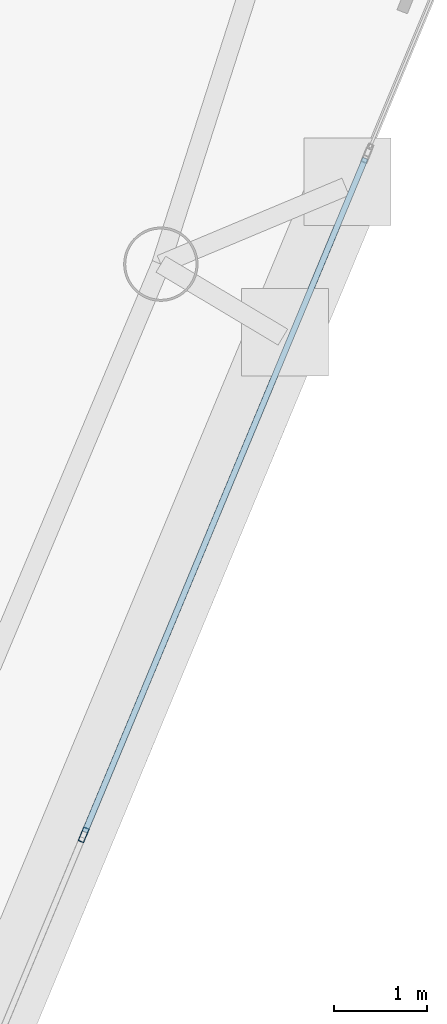
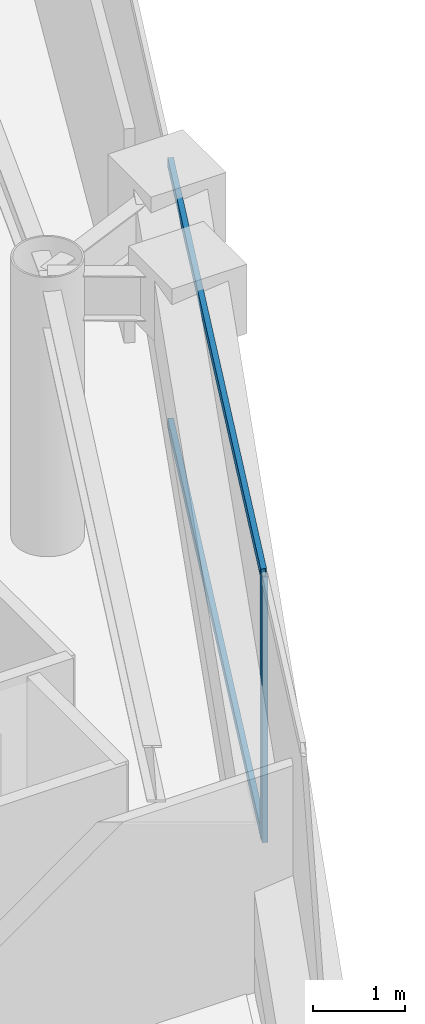
# One storey, part 6 of 19: 3 members, 1 element without a shape of its own.
"""IFC4 building model written with IfcOpenShell, lengths in metres."""

from ifc_helpers import new_model, si_unit, direction, frame, origin, origin_2d, place, context, subcontext, project, spatial, hollow_rectangle, extrude, material, layer, layer_set, material_profile, profile_set, type_object, element, aggregate, save


model = new_model("IFC4")

# Units and contexts
model_context = context("Model", 3, precision=1e-05, world=origin(), true_north=direction((0.0, 1.0)))
body_context = subcontext(model_context, "Body", "Model", "MODEL_VIEW")
ifc_project = project(units=[si_unit("LENGTHUNIT", "METRE"), si_unit("AREAUNIT", "SQUARE_METRE"), si_unit("VOLUMEUNIT", "CUBIC_METRE"), si_unit("PLANEANGLEUNIT", "RADIAN"), si_unit("MASSUNIT", "GRAM", prefix="KILO")], contexts=[model_context])

# Site, building, storey
site_placement = place(None, origin())
site = spatial("IfcSite", under=ifc_project, at=site_placement, CompositionType="ELEMENT")
building_placement = place(site_placement, origin())
building = spatial("IfcBuilding", under=site, at=building_placement, Name="Qianvela Tower", CompositionType="ELEMENT")
storey_placement = place(building_placement, frame((0.0, 0.0, 333.300048828125)))
storey = spatial("IfcBuildingStorey", under=building, at=storey_placement, Name="L86", CompositionType="ELEMENT", Elevation=333.300048828125)

# Curtain wall, members
ifc_material_1 = material(Name="Anodised Architectural Aluminium and Insulated Spandrel Panel", Category="aluminium")
ifc_layer = layer(ifc_material_1, 0.179931640625)
ifc_layer_set = layer_set([ifc_layer], Name="Anodised Architectural Aluminium and Insulated Spandrel Panel")
curtain_wall_type = type_object("IfcCurtainWallType", Name="CW-BRACEBAY", PredefinedType="USERDEFINED", material=ifc_layer_set)
curtain_wall_placement = place(storey_placement, origin())
curtain_wall = element("IfcCurtainWall", 1, at=curtain_wall_placement, inside=storey, type_object=curtain_wall_type, Name="L86 CW-BRACEBAY Curtain Wall 06B", ObjectType="CURTAIN_WALL_SYSTEM", PredefinedType="USERDEFINED")
ifc_material_2 = material(Name="Anodised Architectural Aluminium 6063-T6", Category="aluminium")
ifc_material_profile_1 = material_profile(ifc_material_2, hollow_rectangle(XDim=0.06494140625, YDim=0.159912109375, WallThickness=0.0048828125, at=origin_2d()), Name="ALU-MULL-65x160")
ifc_profile_set_1 = profile_set([ifc_material_profile_1], Name="Anodised Architectural Aluminium 6063-T6")
member_type_1 = type_object("IfcMemberType", Name="CW-BRACEBAY-MULL", PredefinedType="MULLION", material=ifc_profile_set_1)
member_1_placement = place(storey_placement, frame((45.2646484375, 17.55078125, 0.0), z_axis=(0.0, 0.0, 1.0), x_axis=(-0.923163052231, 0.38440860942, 0.0)))
member_1 = element("IfcMember", 2, at=member_1_placement, type_object=member_type_1, Name="CW-9 mullion 2", PredefinedType="MULLION", context=body_context, shape_type="SweptSolid", body=[
    extrude(hollow_rectangle(XDim=0.06494140625, YDim=0.159912109375, WallThickness=0.0048828125, at=origin_2d()), origin(), (0.0, 0.0, 1.0), 3.52001953125),
])
ifc_material_3 = material(Name="Anodised Architectural Aluminium 6063-T6", Category="aluminium")
ifc_material_profile_2 = material_profile(ifc_material_3, hollow_rectangle(XDim=0.06494140625, YDim=0.1298828125, WallThickness=0.00439453125, at=origin_2d()), Name="ALU-TRAN-65x130")
ifc_profile_set_2 = profile_set([ifc_material_profile_2], Name="Anodised Architectural Aluminium 6063-T6")
member_type_2 = type_object("IfcMemberType", Name="CW-BRACEBAY-TRAN", PredefinedType="USERDEFINED", material=ifc_profile_set_2)
member_2_placement = place(storey_placement, frame((45.27734375, 17.580810546875, 0.032470703125), z_axis=(0.384401237098, 0.923166122059, 0.0), x_axis=(-0.923166122059, 0.384401237098, 0.0)))
member_2 = element("IfcMember", 3, at=member_2_placement, type_object=member_type_2, Name="CW-9 transom 2.1", ObjectType="TRANSOM", PredefinedType="USERDEFINED", context=body_context, shape_type="SweptSolid", body=[
    extrude(hollow_rectangle(XDim=0.06494140625, YDim=0.1298828125, WallThickness=0.00439453125, at=origin_2d()), origin(), (0.0, 0.0, 1.0), 7.8525390625),
])
member_3_placement = place(storey_placement, frame((45.27734375, 17.580810546875, 3.487548828125), z_axis=(0.384401237098, 0.923166122059, 0.0), x_axis=(-0.923166122059, 0.384401237098, 0.0)))
member_3 = element("IfcMember", 4, at=member_3_placement, type_object=member_type_2, Name="CW-9 transom 2.2", ObjectType="TRANSOM", PredefinedType="USERDEFINED", context=body_context, shape_type="SweptSolid", body=[
    extrude(hollow_rectangle(XDim=0.06494140625, YDim=0.1298828125, WallThickness=0.00439453125, at=origin_2d()), origin(), (0.0, 0.0, 1.0), 7.8525390625),
])
aggregate(curtain_wall, [member_1, member_2, member_3])

save(model, "model.ifc")
